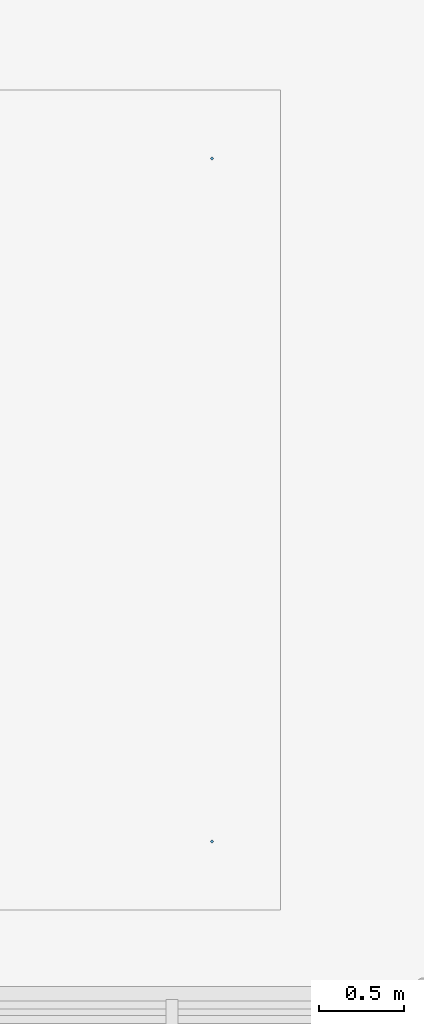
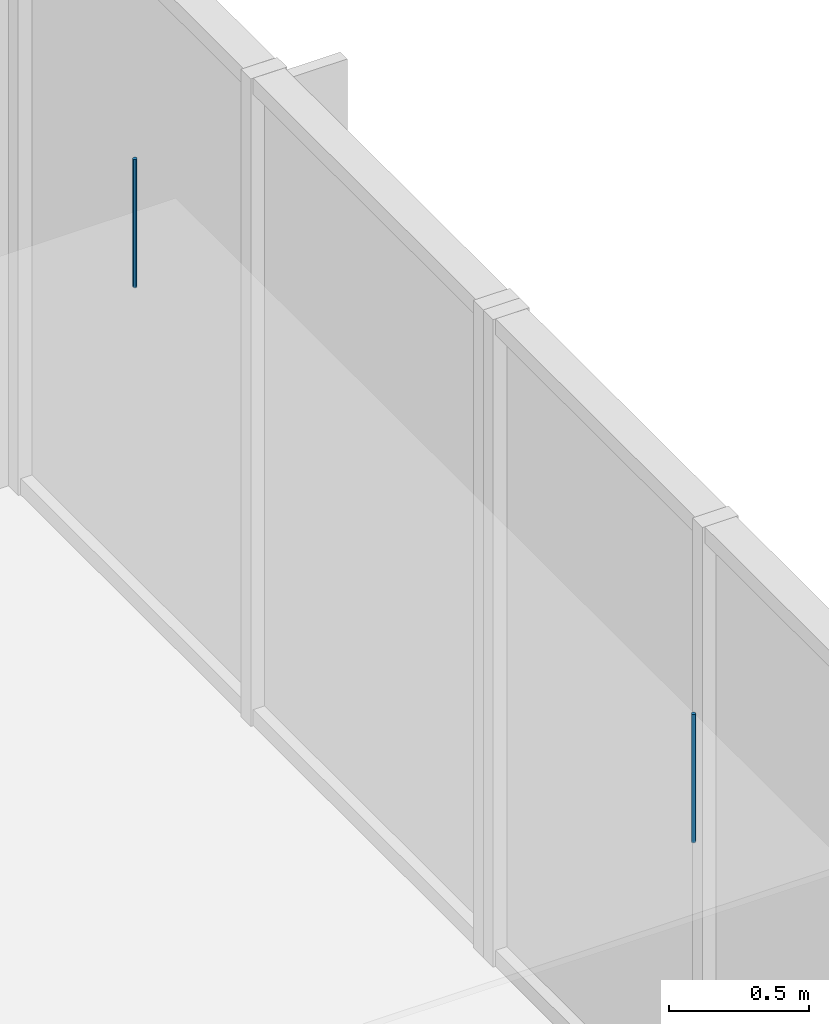
# One storey, part 15 of 17: 2 discrete accessories.
"""IFC4 building model written with IfcOpenShell, lengths in metres."""

from ifc_helpers import new_model, si_unit, direction, frame, origin, origin_2d, place, context, subcontext, project, spatial, circle, extrude, material, type_object, element, save


model = new_model("IFC4")

# Units and contexts
model_context = context("Model", 3, precision=1e-05, world=origin(), true_north=direction((0.0, 1.0)))
body_context = subcontext(model_context, "Body", "Model", "MODEL_VIEW")
ifc_project = project(units=[si_unit("LENGTHUNIT", "METRE"), si_unit("AREAUNIT", "SQUARE_METRE"), si_unit("VOLUMEUNIT", "CUBIC_METRE"), si_unit("PLANEANGLEUNIT", "RADIAN"), si_unit("MASSUNIT", "GRAM", prefix="KILO")], contexts=[model_context])

# Site, building, storey
site_placement = place(None, origin())
site = spatial("IfcSite", under=ifc_project, at=site_placement, CompositionType="ELEMENT")
building_placement = place(site_placement, origin())
building = spatial("IfcBuilding", under=site, at=building_placement, Name="Yukiwa Park Conservatory and Herbarium", CompositionType="ELEMENT")
storey_placement = place(building_placement, frame((0.0, 0.0, 57.60009765625)))
storey = spatial("IfcBuildingStorey", under=building, at=storey_placement, Name="L15", CompositionType="ELEMENT", Elevation=57.60009765625)

# Discrete accessories
ifc_material = material(Name="Steel Q235B", Category="steel")
discrete_accessory_type = type_object("IfcDiscreteAccessoryType", Name="ACC-CEILING-HANGER", PredefinedType="BRACKET", material=ifc_material)
for number, where, z_axis, x_axis, name in (
    (1, (166.60009765625, 87.39990234375, 3.27490234375), (0.0, 0.0, 1.0), (1.0, 0.0, 0.0), "Ceiling suspension hanger rod 30"),
    (2, (166.60009765625, 91.39990234375, 3.27490234375), (0.0, 0.0, 1.0), (1.0, 0.0, 0.0), "Ceiling suspension hanger rod 31"),
):
    element("IfcDiscreteAccessory", number, at=place(storey_placement, frame(where, z_axis=z_axis, x_axis=x_axis)), inside=storey, type_object=discrete_accessory_type, Name=name, PredefinedType="BRACKET", context=body_context, shape_type="SweptSolid", body=[
        extrude(circle(Radius=0.008056640625, at=origin_2d()), origin(), (0.0, 0.0, 1.0), 0.56005859375),
    ])

save(model, "model.ifc")
